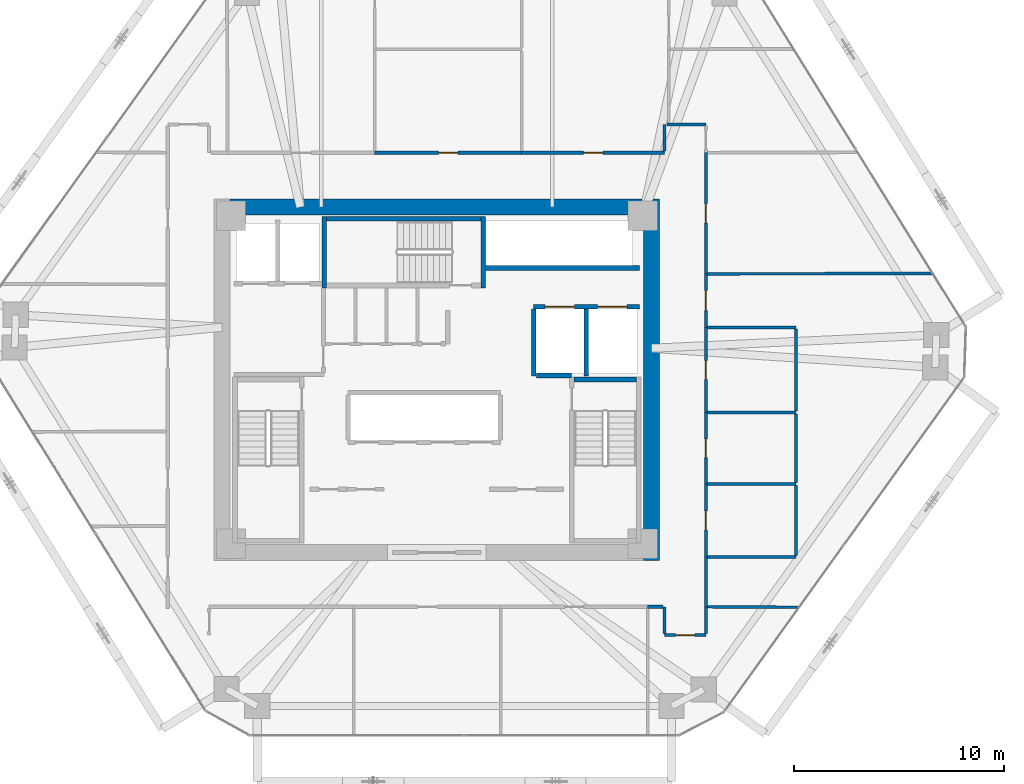
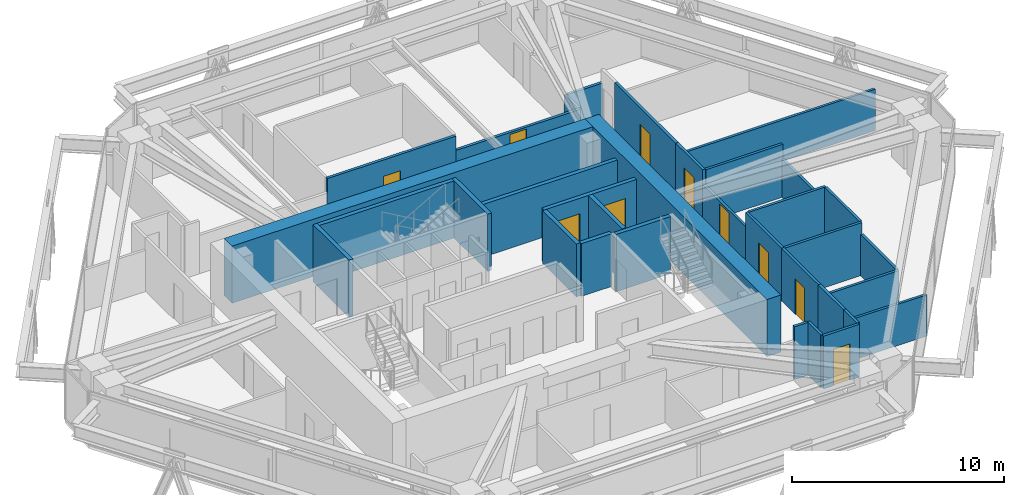
# One storey, part 14 of 16: 34 walls, 10 doors, 10 openings.
"""IFC4 building model written with IfcOpenShell, lengths in metres."""

from ifc_helpers import new_model, si_unit, direction, frame, frame_2d, origin, place, context, subcontext, project, spatial, rectangle, extrude, source, transform, mapped, material, layer, layer_set, type_object, type_shapes, element, fill, save


model = new_model("IFC4")

# Units and contexts
model_context = context("Model", 3, precision=1e-05, world=origin(), true_north=direction((0.0, 1.0)))
body_context = subcontext(model_context, "Body", "Model", "MODEL_VIEW")
ifc_project = project(units=[si_unit("LENGTHUNIT", "METRE"), si_unit("AREAUNIT", "SQUARE_METRE"), si_unit("VOLUMEUNIT", "CUBIC_METRE"), si_unit("PLANEANGLEUNIT", "RADIAN"), si_unit("MASSUNIT", "GRAM", prefix="KILO")], contexts=[model_context])

# Site, building, storey
site_placement = place(None, origin())
site = spatial("IfcSite", under=ifc_project, at=site_placement, CompositionType="ELEMENT")
building_placement = place(site_placement, origin())
building = spatial("IfcBuilding", under=site, at=building_placement, Name="Durnholm Broadcast Tower", CompositionType="ELEMENT")
storey_placement = place(building_placement, frame((0.0, 0.0, 110.699951171875)))
storey = spatial("IfcBuildingStorey", under=building, at=storey_placement, Name="L29", CompositionType="ELEMENT", Elevation=110.699951171875)

# Walls
ifc_material_1 = material(Name="Concrete C70/85", Category="concrete")
ifc_layer_1 = layer(ifc_material_1, 0.75)
ifc_layer_set_1 = layer_set([ifc_layer_1], Name="Concrete C70/85")
wall_type_1 = type_object("IfcWallType", Name="WALL-CW-750", PredefinedType="SHEAR", material=ifc_layer_set_1)
wall_1_placement = place(storey_placement, frame((10.22509765625, -8.60009765625, 0.0), z_axis=(0.0, 0.0, 1.0), x_axis=(0.0, 1.0, 0.0)))
element("IfcWall", 1, at=wall_1_placement, inside=storey, type_object=wall_type_1, Name="L29 central core shear wall CW-EAST", PredefinedType="SHEAR", context=body_context, shape_type="SweptSolid", body=[
    extrude(rectangle(XDim=17.2001953125, YDim=0.75, at=frame_2d((8.60009765625, 0.0))), origin(), (0.0, 0.0, 1.0), 3.300048828125),
])
wall_2_placement = place(storey_placement, frame((-9.85009765625, 8.22509765625, 0.0), z_axis=(0.0, 0.0, 1.0), x_axis=(1.0, 0.0, 0.0)))
element("IfcWall", 2, at=wall_2_placement, inside=storey, type_object=wall_type_1, Name="L29 central core shear wall CW-N", PredefinedType="SHEAR", context=body_context, shape_type="SweptSolid", body=[
    extrude(rectangle(XDim=19.7001953125, YDim=0.75, at=frame_2d((9.85009765625, 0.0))), origin(), (0.0, 0.0, 1.0), 3.300048828125),
])
ifc_material_2 = material(Name="Gypsum Metal Stud Partition", Category="concrete")
ifc_layer_2 = layer(ifc_material_2, 0.135009765625)
ifc_layer_set_2 = layer_set([ifc_layer_2], Name="Gypsum Metal Stud Partition")
wall_type_2 = type_object("IfcWallType", Name="WALL-PART-135", PredefinedType="PARTITIONING", material=ifc_layer_set_2)
wall_3_placement = place(storey_placement, frame((12.888916015625, -10.810302734375, 0.0), z_axis=(0.0, 0.0, 1.0), x_axis=(0.999986140562, -0.005264853658, 0.0)))
element("IfcWall", 3, at=wall_3_placement, inside=storey, type_object=wall_type_2, Name="L29 room dividing partition 21.26", PredefinedType="PARTITIONING", context=body_context, shape_type="SweptSolid", body=[
    extrude(rectangle(XDim=4.35888671875, YDim=0.135009765625, at=frame_2d((2.179443359375, 0.0))), origin(), (0.0, 0.0, 1.0), 2.380126953125),
])
wall_4_placement = place(storey_placement, frame((12.888916015625, 5.040283203125, 0.0), z_axis=(0.0, 0.0, 1.0), x_axis=(0.999998128178, 0.00193484876, 0.0)))
element("IfcWall", 4, at=wall_4_placement, inside=storey, type_object=wall_type_2, Name="L29 room dividing partition 26.27", PredefinedType="PARTITIONING", context=body_context, shape_type="SweptSolid", body=[
    extrude(rectangle(XDim=10.725341796875, YDim=0.135009765625, at=frame_2d((5.36279296875, 0.0))), origin(), (0.0, 0.0, 1.0), 2.380126953125),
])

# Wall, opening, door
ifc_material_3 = material(Name="Acoustic Gypsum Stud Partition", Category="concrete")
ifc_layer_3 = layer(ifc_material_3, 0.14990234375)
ifc_layer_set_3 = layer_set([ifc_layer_3], Name="Acoustic Gypsum Stud Partition")
wall_type_3 = type_object("IfcWallType", Name="WALL-PART-150", PredefinedType="PARTITIONING", material=ifc_layer_set_3)
wall_5_placement = place(storey_placement, frame((4.0400390625, 10.81005859375, 0.0), z_axis=(0.0, 0.0, 1.0), x_axis=(-1.0, 0.0, 0.0)))
wall_5 = element("IfcWall", 5, at=wall_5_placement, inside=storey, type_object=wall_type_3, Name="L29 ADR Office corridor partition", PredefinedType="PARTITIONING", context=body_context, shape_type="SweptSolid", body=[
    extrude(rectangle(XDim=7.0, YDim=0.14990234375, at=frame_2d((3.5, 0.0))), origin(), (0.0, 0.0, 1.0), 3.045166015625),
])
opening_1_placement = place(wall_5_placement, frame((3.0400390625, 0.0, 0.0)))
opening_1 = element("IfcOpeningElement", 6, at=opening_1_placement, cuts=wall_5, Name="Opening DR-92R", PredefinedType="OPENING", context=body_context, shape_type="SweptSolid", body=[
    extrude(rectangle(XDim=0.919921875, YDim=2.10009765625, at=frame_2d((0.4599609375, 1.050048828125))), frame((0.0, 0.0849609375, 0.0), z_axis=(0.0, -1.0, 0.0), x_axis=(1.0, 0.0, 0.0)), (0.0, 0.0, 1.0), 0.169921875),
])
ifc_material_4 = material(Name="Oak Veneer Office Door", Category="wood")
ifc_layer_4 = layer(ifc_material_4, 0.050048828125)
ifc_layer_set_4 = layer_set([ifc_layer_4], Name="Oak Veneer Office Door")
door_type_1 = type_object("IfcDoorType", Name="DOOR-RM-920R", OperationType="NOTDEFINED", PredefinedType="DOOR", material=ifc_layer_set_4)
shared_shape_1 = source(origin(), body_context, "Body", "SweptSolid", [
    extrude(rectangle(XDim=0.919921875, YDim=2.10009765625, at=frame_2d((0.4599609375, 1.050048828125))), frame((0.0, 0.02490234375, 0.0), z_axis=(0.0, -1.0, 0.0), x_axis=(1.0, 0.0, 0.0)), (0.0, 0.0, 1.0), 0.050048828125),
])
type_shapes(door_type_1, [shared_shape_1])
door_1_placement = place(opening_1_placement, origin())
door_1 = element("IfcDoor", 7, at=door_1_placement, inside=storey, type_object=door_type_1, Name="L29 ADR Office entrance door", OperationType="SINGLE_SWING_RIGHT", OverallHeight=2.10009765625, OverallWidth=0.919921875, PredefinedType="DOOR", context=body_context, shape_type="MappedRepresentation", body=[
    mapped(shared_shape_1, transform((0.0, 0.0, 0.0), x_axis=(1.0, 0.0, 0.0), y_axis=(0.0, 1.0, 0.0), z_axis=(0.0, 0.0, 1.0), scale=1.0)),
])
fill(opening_1, door_1)

wall_6_placement = place(storey_placement, frame((10.840087890625, 10.81005859375, 0.0), z_axis=(0.0, 0.0, 1.0), x_axis=(-1.0, 0.0, 0.0)))
wall_6 = element("IfcWall", 8, at=wall_6_placement, inside=storey, type_object=wall_type_3, Name="L29 Colorist Office corridor partition", PredefinedType="PARTITIONING", context=body_context, shape_type="SweptSolid", body=[
    extrude(rectangle(XDim=6.800048828125, YDim=0.14990234375, at=frame_2d((3.39990234375, 0.0))), origin(), (0.0, 0.0, 1.0), 2.212158203125),
])
opening_2_placement = place(wall_6_placement, frame((2.93994140625, 0.0, 0.0)))
opening_2 = element("IfcOpeningElement", 9, at=opening_2_placement, cuts=wall_6, Name="Opening DR-92L", PredefinedType="OPENING", context=body_context, shape_type="SweptSolid", body=[
    extrude(rectangle(XDim=0.919921875, YDim=2.10009765625, at=frame_2d((0.4599609375, 1.050048828125))), frame((0.0, 0.0849609375, 0.0), z_axis=(0.0, -1.0, 0.0), x_axis=(1.0, 0.0, 0.0)), (0.0, 0.0, 1.0), 0.169921875),
])
ifc_layer_5 = layer(ifc_material_4, 0.050048828125)
ifc_layer_set_5 = layer_set([ifc_layer_5], Name="Oak Veneer Office Door")
door_type_2 = type_object("IfcDoorType", Name="DOOR-RM-920L", OperationType="NOTDEFINED", PredefinedType="DOOR", material=ifc_layer_set_5)
shared_shape_2 = source(origin(), body_context, "Body", "SweptSolid", [
    extrude(rectangle(XDim=0.919921875, YDim=2.10009765625, at=frame_2d((0.4599609375, 1.050048828125))), frame((0.0, 0.02490234375, 0.0), z_axis=(0.0, -1.0, 0.0), x_axis=(1.0, 0.0, 0.0)), (0.0, 0.0, 1.0), 0.050048828125),
])
type_shapes(door_type_2, [shared_shape_2])
door_2_placement = place(opening_2_placement, origin())
door_2 = element("IfcDoor", 10, at=door_2_placement, inside=storey, type_object=door_type_2, Name="L29 Colorist Office entrance door", OperationType="SINGLE_SWING_LEFT", OverallHeight=2.10009765625, OverallWidth=0.919921875, PredefinedType="DOOR", context=body_context, shape_type="MappedRepresentation", body=[
    mapped(shared_shape_2, transform((0.0, 0.0, 0.0), x_axis=(1.0, 0.0, 0.0), y_axis=(0.0, 1.0, 0.0), z_axis=(0.0, 0.0, 1.0), scale=1.0)),
])
fill(opening_2, door_2)

# Walls
wall_7_placement = place(storey_placement, frame((10.840087890625, 12.159912109375, 0.0), z_axis=(0.0, 0.0, 1.0), x_axis=(0.0, -1.0, 0.0)))
element("IfcWall", 11, at=wall_7_placement, inside=storey, type_object=wall_type_3, Name="L29 Colorist Office corridor partition", PredefinedType="PARTITIONING", context=body_context, shape_type="SweptSolid", body=[
    extrude(rectangle(XDim=1.27099609375, YDim=0.14990234375, at=frame_2d((0.635498046875, 0.0))), origin(), (0.0, 0.0, 1.0), 2.212158203125),
])
wall_8_placement = place(storey_placement, frame((12.81005859375, 12.159912109375, 0.0), z_axis=(0.0, 0.0, 1.0), x_axis=(-1.0, 0.0, 0.0)))
element("IfcWall", 12, at=wall_8_placement, inside=storey, type_object=wall_type_3, Name="L29 Creative Director Office corridor partition", PredefinedType="PARTITIONING", context=body_context, shape_type="SweptSolid", body=[
    extrude(rectangle(XDim=1.85009765625, YDim=0.14990234375, at=frame_2d((0.925048828125, 0.0))), origin(), (0.0, 0.0, 1.0), 2.212158203125),
])

# Wall, opening, door
wall_9_placement = place(storey_placement, frame((10.840087890625, -12.159912109375, 0.0), z_axis=(0.0, 0.0, 1.0), x_axis=(1.0, 0.0, 0.0)))
wall_9 = element("IfcWall", 13, at=wall_9_placement, inside=storey, type_object=wall_type_3, Name="L29 VFX Office 1 corridor partition", PredefinedType="PARTITIONING", context=body_context, shape_type="SweptSolid", body=[
    extrude(rectangle(XDim=1.969970703125, YDim=0.14990234375, at=frame_2d((0.98486328125, 0.0))), origin(), (0.0, 0.0, 1.0), 3.045166015625),
])
opening_3_placement = place(wall_9_placement, frame((0.52490234375, 0.0, 0.0)))
opening_3 = element("IfcOpeningElement", 14, at=opening_3_placement, cuts=wall_9, Name="Opening DR-92R", PredefinedType="OPENING", context=body_context, shape_type="SweptSolid", body=[
    extrude(rectangle(XDim=0.919921875, YDim=2.10009765625, at=frame_2d((0.4599609375, 1.050048828125))), frame((0.0, 0.0849609375, 0.0), z_axis=(0.0, -1.0, 0.0), x_axis=(1.0, 0.0, 0.0)), (0.0, 0.0, 1.0), 0.169921875),
])
door_3_placement = place(opening_3_placement, origin())
door_3 = element("IfcDoor", 15, at=door_3_placement, inside=storey, type_object=door_type_1, Name="L29 VFX Office 1 entrance door", OperationType="SINGLE_SWING_RIGHT", OverallHeight=2.10009765625, OverallWidth=0.919921875, PredefinedType="DOOR", context=body_context, shape_type="MappedRepresentation", body=[
    mapped(shared_shape_1, transform((0.0, 0.0, 0.0), x_axis=(1.0, 0.0, 0.0), y_axis=(0.0, 1.0, 0.0), z_axis=(0.0, 0.0, 1.0), scale=1.0)),
])
fill(opening_3, door_3)

# Walls
for number, where, z_axis, x_axis, name in (
    (16, (10.840087890625, -10.81005859375, 0.0), (0.0, 0.0, 1.0), (0.0, -1.0, 0.0), "L29 VFX Office 1 corridor partition"),
    (17, (12.81005859375, -12.0810546875, 0.0), (0.0, 0.0, 1.0), (0.0, 1.0, 0.0), "L29 VFX Office 1 corridor partition"),
):
    element("IfcWall", number, at=place(storey_placement, frame(where, z_axis=z_axis, x_axis=x_axis)), inside=storey, type_object=wall_type_3, Name=name, PredefinedType="PARTITIONING", context=body_context, shape_type="SweptSolid", body=[
        extrude(rectangle(XDim=1.27099609375, YDim=0.14990234375, at=frame_2d((0.635498046875, 0.0))), origin(), (0.0, 0.0, 1.0), 3.045166015625),
    ])
wall_10_placement = place(storey_placement, frame((10.0400390625, -10.81005859375, 0.0), z_axis=(0.0, 0.0, 1.0), x_axis=(1.0, 0.0, 0.0)))
element("IfcWall", 18, at=wall_10_placement, inside=storey, type_object=wall_type_3, Name="L29 VFX Office 1 corridor partition", PredefinedType="PARTITIONING", context=body_context, shape_type="SweptSolid", body=[
    extrude(rectangle(XDim=0.720947265625, YDim=0.14990234375, at=frame_2d((0.3603515625, 0.0))), origin(), (0.0, 0.0, 1.0), 3.045166015625),
])

# Wall, opening, door
wall_11_placement = place(storey_placement, frame((12.81005859375, 2.489990234375, 0.0), z_axis=(0.0, 0.0, 1.0), x_axis=(0.0, 1.0, 0.0)))
wall_11 = element("IfcWall", 19, at=wall_11_placement, inside=storey, type_object=wall_type_3, Name="L29 Creative Director Office corridor partition", PredefinedType="PARTITIONING", context=body_context, shape_type="SweptSolid", body=[
    extrude(rectangle(XDim=2.550048828125, YDim=0.14990234375, at=frame_2d((1.27490234375, 0.0))), origin(), (0.0, 0.0, 1.0), 3.045166015625),
])
opening_4_placement = place(wall_11_placement, frame((0.800048828125, 0.0, 0.0)))
opening_4 = element("IfcOpeningElement", 20, at=opening_4_placement, cuts=wall_11, Name="Opening DR-95L", PredefinedType="OPENING", context=body_context, shape_type="SweptSolid", body=[
    extrude(rectangle(XDim=0.949951171875, YDim=2.10009765625, at=frame_2d((0.47509765625, 1.050048828125))), frame((0.0, 0.0849609375, 0.0), z_axis=(0.0, -1.0, 0.0), x_axis=(1.0, 0.0, 0.0)), (0.0, 0.0, 1.0), 0.169921875),
])
ifc_material_5 = material(Name="Acoustic Oak Veneer Timber Door", Category="wood")
ifc_layer_6 = layer(ifc_material_5, 0.050048828125)
ifc_layer_set_6 = layer_set([ifc_layer_6], Name="Acoustic Oak Veneer Timber Door")
door_type_3 = type_object("IfcDoorType", Name="DOOR-RM-950L", OperationType="NOTDEFINED", PredefinedType="DOOR", material=ifc_layer_set_6)
shared_shape_3 = source(origin(), body_context, "Body", "SweptSolid", [
    extrude(rectangle(XDim=0.949951171875, YDim=2.10009765625, at=frame_2d((0.47509765625, 1.050048828125))), frame((0.0, 0.02490234375, 0.0), z_axis=(0.0, -1.0, 0.0), x_axis=(1.0, 0.0, 0.0)), (0.0, 0.0, 1.0), 0.050048828125),
])
type_shapes(door_type_3, [shared_shape_3])
door_4_placement = place(opening_4_placement, origin())
door_4 = element("IfcDoor", 21, at=door_4_placement, inside=storey, type_object=door_type_3, Name="L29 Creative Director Office entrance door", OperationType="SINGLE_SWING_LEFT", OverallHeight=2.10009765625, OverallWidth=0.949951171875, PredefinedType="DOOR", context=body_context, shape_type="MappedRepresentation", body=[
    mapped(shared_shape_3, transform((0.0, 0.0, 0.0), x_axis=(1.0, 0.0, 0.0), y_axis=(0.0, 1.0, 0.0), z_axis=(0.0, 0.0, 1.0), scale=1.0)),
])
fill(opening_4, door_4)

# Wall
wall_12_placement = place(storey_placement, frame((12.81005859375, -10.81005859375, 0.0), z_axis=(0.0, 0.0, 1.0), x_axis=(0.0, 1.0, 0.0)))
element("IfcWall", 22, at=wall_12_placement, inside=storey, type_object=wall_type_3, Name="L29 Creative Director Office corridor partition", PredefinedType="PARTITIONING", context=body_context, shape_type="SweptSolid", body=[
    extrude(rectangle(XDim=2.3701171875, YDim=0.14990234375, at=frame_2d((1.18505859375, 0.0))), origin(), (0.0, 0.0, 1.0), 3.045166015625),
])

# Wall, opening, door
wall_13_placement = place(storey_placement, frame((12.81005859375, 5.0400390625, 0.0), z_axis=(0.0, 0.0, 1.0), x_axis=(0.0, 1.0, 0.0)))
wall_13 = element("IfcWall", 23, at=wall_13_placement, inside=storey, type_object=wall_type_3, Name="L29 Render Engineer Office corridor partition", PredefinedType="PARTITIONING", context=body_context, shape_type="SweptSolid", body=[
    extrude(rectangle(XDim=5.77001953125, YDim=0.14990234375, at=frame_2d((2.885009765625, 0.0))), origin(), (0.0, 0.0, 1.0), 3.045166015625),
])
opening_5_placement = place(wall_13_placement, frame((2.425048828125, 0.0, 0.0)))
opening_5 = element("IfcOpeningElement", 24, at=opening_5_placement, cuts=wall_13, Name="Opening DR-92R", PredefinedType="OPENING", context=body_context, shape_type="SweptSolid", body=[
    extrude(rectangle(XDim=0.919921875, YDim=2.10009765625, at=frame_2d((0.4599609375, 1.050048828125))), frame((0.0, 0.0849609375, 0.0), z_axis=(0.0, -1.0, 0.0), x_axis=(1.0, 0.0, 0.0)), (0.0, 0.0, 1.0), 0.169921875),
])
door_5_placement = place(opening_5_placement, origin())
door_5 = element("IfcDoor", 25, at=door_5_placement, inside=storey, type_object=door_type_1, Name="L29 Render Engineer Office entrance door", OperationType="SINGLE_SWING_RIGHT", OverallHeight=2.10009765625, OverallWidth=0.919921875, PredefinedType="DOOR", context=body_context, shape_type="MappedRepresentation", body=[
    mapped(shared_shape_1, transform((0.0, 0.0, 0.0), x_axis=(1.0, 0.0, 0.0), y_axis=(0.0, 1.0, 0.0), z_axis=(0.0, 0.0, 1.0), scale=1.0)),
])
fill(opening_5, door_5)

# Wall, openings, doors
ifc_material_6 = material(Name="Concrete Blockwork C30/37", Category="masonry")
ifc_layer_7 = layer(ifc_material_6, 0.219970703125)
ifc_layer_set_7 = layer_set([ifc_layer_7], Name="Concrete Blockwork C30/37")
wall_type_4 = type_object("IfcWallType", Name="WALL-SHAFT-220", PredefinedType="SOLIDWALL", material=ifc_layer_set_7)
wall_14_placement = place(storey_placement, frame((4.60009765625, 3.47998046875, 0.0), z_axis=(0.0, 0.0, 1.0), x_axis=(1.0, 0.0, 0.0)))
wall_14 = element("IfcWall", 26, at=wall_14_placement, inside=storey, type_object=wall_type_4, Name="L29 freight service lifts north front wall", PredefinedType="SOLIDWALL", context=body_context, shape_type="SweptSolid", body=[
    extrude(rectangle(XDim=5.0498046875, YDim=0.219970703125, at=frame_2d((2.52490234375, 0.0))), origin(), (0.0, 0.0, 1.0), 3.045166015625),
])
opening_6_placement = place(wall_14_placement, frame((0.550048828125, 0.0, 0.0)))
opening_6 = element("IfcOpeningElement", 27, at=opening_6_placement, cuts=wall_14, Name="Opening LD-SVL-2", PredefinedType="OPENING", context=body_context, shape_type="SweptSolid", body=[
    extrude(rectangle(XDim=1.39990234375, YDim=2.14990234375, at=frame_2d((0.699951171875, 1.074951171875))), frame((0.0, 0.1201171875, 0.0), z_axis=(0.0, -1.0, 0.0), x_axis=(1.0, 0.0, 0.0)), (0.0, 0.0, 1.0), 0.239990234375),
])
opening_7_placement = place(wall_14_placement, frame((3.050048828125, 0.0, 0.0)))
opening_7 = element("IfcOpeningElement", 28, at=opening_7_placement, cuts=wall_14, Name="Opening LD-SVL-1", PredefinedType="OPENING", context=body_context, shape_type="SweptSolid", body=[
    extrude(rectangle(XDim=1.39990234375, YDim=2.14990234375, at=frame_2d((0.699951171875, 1.074951171875))), frame((0.0, 0.1201171875, 0.0), z_axis=(0.0, -1.0, 0.0), x_axis=(1.0, 0.0, 0.0)), (0.0, 0.0, 1.0), 0.239990234375),
])
ifc_material_7 = material(Name="Freight Elevator Bi-Parting Sliding Landing Door", Category="steel")
ifc_layer_8 = layer(ifc_material_7, 0.050048828125)
ifc_layer_set_8 = layer_set([ifc_layer_8], Name="Freight Elevator Bi-Parting Sliding Landing Door")
door_type_4 = type_object("IfcDoorType", Name="DOOR-LIFT-SVL", OperationType="DOUBLE_DOOR_SLIDING", PredefinedType="DOOR", material=ifc_layer_set_8)
shared_shape_4 = source(origin(), body_context, "Body", "SweptSolid", [
    extrude(rectangle(XDim=1.39990234375, YDim=2.14990234375, at=frame_2d((0.699951171875, 1.074951171875))), frame((0.0, 0.02490234375, 0.0), z_axis=(0.0, -1.0, 0.0), x_axis=(1.0, 0.0, 0.0)), (0.0, 0.0, 1.0), 0.050048828125),
])
type_shapes(door_type_4, [shared_shape_4])
door_6_placement = place(opening_6_placement, origin())
door_6 = element("IfcDoor", 29, at=door_6_placement, inside=storey, type_object=door_type_4, Name="L29 freight service elevator SVL-2 sliding landing door", OperationType="DOUBLE_DOOR_SLIDING", OverallHeight=2.14990234375, OverallWidth=1.39990234375, PredefinedType="DOOR", context=body_context, shape_type="MappedRepresentation", body=[
    mapped(shared_shape_4, transform((0.0, 0.0, 0.0), x_axis=(1.0, 0.0, 0.0), y_axis=(0.0, 1.0, 0.0), z_axis=(0.0, 0.0, 1.0), scale=1.0)),
])
fill(opening_6, door_6)
door_7_placement = place(opening_7_placement, origin())
door_7 = element("IfcDoor", 30, at=door_7_placement, inside=storey, type_object=door_type_4, Name="L29 freight service elevator SVL-1 sliding landing door", OperationType="DOUBLE_DOOR_SLIDING", OverallHeight=2.14990234375, OverallWidth=1.39990234375, PredefinedType="DOOR", context=body_context, shape_type="MappedRepresentation", body=[
    mapped(shared_shape_4, transform((0.0, 0.0, 0.0), x_axis=(1.0, 0.0, 0.0), y_axis=(0.0, 1.0, 0.0), z_axis=(0.0, 0.0, 1.0), scale=1.0)),
])
fill(opening_7, door_7)

# Walls
for number, where, z_axis, x_axis, name in (
    (31, (4.6201171875, 0.179931640625, 0.0), (0.0, 0.0, 1.0), (0.0, 1.0, 0.0), "L29 freight service lift SVL-2 west wall"),
    (32, (7.1201171875, 0.179931640625, 0.0), (0.0, 0.0, 1.0), (0.0, 1.0, 0.0), "L29 freight service lifts divider wall"),
):
    element("IfcWall", number, at=place(storey_placement, frame(where, z_axis=z_axis, x_axis=x_axis)), inside=storey, type_object=wall_type_4, Name=name, PredefinedType="SOLIDWALL", context=body_context, shape_type="SweptSolid", body=[
        extrude(rectangle(XDim=3.18603515625, YDim=0.219970703125, at=frame_2d((1.593017578125, 0.0))), origin(), (0.0, 0.0, 1.0), 3.045166015625),
    ])
wall_15_placement = place(storey_placement, frame((4.73388671875, 0.199951171875, 0.0), z_axis=(0.0, 0.0, 1.0), x_axis=(1.0, 0.0, 0.0)))
element("IfcWall", 33, at=wall_15_placement, inside=storey, type_object=wall_type_4, Name="L29 freight service lift SVL-2 south wall", PredefinedType="SOLIDWALL", context=body_context, shape_type="SweptSolid", body=[
    extrude(rectangle(XDim=1.666015625, YDim=0.219970703125, at=frame_2d((0.8330078125, 0.0))), origin(), (0.0, 0.0, 1.0), 3.045166015625),
])
wall_16_placement = place(storey_placement, frame((2.324951171875, 5.320068359375, 0.0), z_axis=(0.0, 0.0, 1.0), x_axis=(1.0, 0.0, 0.0)))
element("IfcWall", 34, at=wall_16_placement, inside=storey, type_object=wall_type_4, Name="L29 high-rise bank P3 south front wall", PredefinedType="SOLIDWALL", context=body_context, shape_type="SweptSolid", body=[
    extrude(rectangle(XDim=7.324951171875, YDim=0.219970703125, at=frame_2d((3.66259765625, 0.0))), origin(), (0.0, 0.0, 1.0), 3.045166015625),
])
ifc_material_8 = material(Name="Concrete C50/60", Category="concrete")
ifc_layer_9 = layer(ifc_material_8, 0.219970703125)
ifc_layer_set_9 = layer_set([ifc_layer_9], Name="Concrete C50/60")
wall_type_5 = type_object("IfcWallType", Name="WALL-SW-220", PredefinedType="SHEAR", material=ifc_layer_set_9)
wall_17_placement = place(storey_placement, frame((9.5, 0.010009765625, -0.239990234375), z_axis=(0.0, 0.0, 1.0), x_axis=(-1.0, 0.0, 0.0)))
element("IfcWall", 35, at=wall_17_placement, inside=storey, type_object=wall_type_5, Name="L29 stair ST-2 structural shaft wall N", PredefinedType="SHEAR", context=body_context, shape_type="SweptSolid", body=[
    extrude(rectangle(XDim=2.9599609375, YDim=0.219970703125, at=frame_2d((1.47998046875, 0.0))), origin(), (0.0, 0.0, 1.0), 3.300048828125),
])
for number, where, z_axis, x_axis, name in (
    (36, (2.2099609375, 4.3798828125, -0.239990234375), (0.0, 0.0, 1.0), (0.0, 1.0, 0.0), "L29 stair ST-3 structural shaft wall E"),
    (37, (-5.360107421875, 7.780029296875, -0.239990234375), (0.0, 0.0, 1.0), (0.0, -1.0, 0.0), "L29 stair ST-3 structural shaft wall W"),
):
    element("IfcWall", number, at=place(storey_placement, frame(where, z_axis=z_axis, x_axis=x_axis)), inside=storey, type_object=wall_type_5, Name=name, PredefinedType="SHEAR", context=body_context, shape_type="SweptSolid", body=[
        extrude(rectangle(XDim=3.400146484375, YDim=0.219970703125, at=frame_2d((1.7001953125, 0.0))), origin(), (0.0, 0.0, 1.0), 3.300048828125),
    ])
wall_18_placement = place(storey_placement, frame((2.10009765625, 7.669921875, -0.239990234375), z_axis=(0.0, 0.0, 1.0), x_axis=(-1.0, 0.0, 0.0)))
element("IfcWall", 38, at=wall_18_placement, inside=storey, type_object=wall_type_5, Name="L29 stair ST-3 structural shaft wall N", PredefinedType="SHEAR", context=body_context, shape_type="SweptSolid", body=[
    extrude(rectangle(XDim=7.35009765625, YDim=0.219970703125, at=frame_2d((3.675048828125, 0.0))), origin(), (0.0, 0.0, 1.0), 3.300048828125),
])

# Wall, opening, door
ifc_material_9 = material(Name="Moisture-Resistant Tile Partition", Category="concrete")
ifc_layer_10 = layer(ifc_material_9, 0.139892578125)
ifc_layer_set_10 = layer_set([ifc_layer_10], Name="Moisture-Resistant Tile Partition")
wall_type_6 = type_object("IfcWallType", Name="WALL-WC-140", PredefinedType="PARTITIONING", material=ifc_layer_set_10)
wall_19_placement = place(storey_placement, frame((12.81005859375, -8.43994140625, 0.0), z_axis=(0.0, 0.0, 1.0), x_axis=(0.0, 1.0, 0.0)))
wall_19 = element("IfcWall", 39, at=wall_19_placement, inside=storey, type_object=wall_type_6, Name="L29 Men's Restroom corridor partition", PredefinedType="PARTITIONING", context=body_context, shape_type="SweptSolid", body=[
    extrude(rectangle(XDim=3.47998046875, YDim=0.139892578125, at=frame_2d((1.739990234375, 0.0))), origin(), (0.0, 0.0, 1.0), 3.045166015625),
])
opening_8_placement = place(wall_19_placement, frame((1.2900390625, 0.0, 0.0)))
opening_8 = element("IfcOpeningElement", 40, at=opening_8_placement, cuts=wall_19, Name="Opening DW-90L", PredefinedType="OPENING", context=body_context, shape_type="SweptSolid", body=[
    extrude(rectangle(XDim=0.89990234375, YDim=2.050048828125, at=frame_2d((0.449951171875, 1.02490234375))), frame((0.0, 0.080078125, 0.0), z_axis=(0.0, -1.0, 0.0), x_axis=(1.0, 0.0, 0.0)), (0.0, 0.0, 1.0), 0.159912109375),
])
ifc_material_10 = material(Name="Laminate Restroom Door", Category="steel")
ifc_layer_11 = layer(ifc_material_10, 0.050048828125)
ifc_layer_set_11 = layer_set([ifc_layer_11], Name="Laminate Restroom Door")
door_type_5 = type_object("IfcDoorType", Name="DOOR-WC-900L", OperationType="NOTDEFINED", PredefinedType="DOOR", material=ifc_layer_set_11)
shared_shape_5 = source(origin(), body_context, "Body", "SweptSolid", [
    extrude(rectangle(XDim=0.89990234375, YDim=2.050048828125, at=frame_2d((0.449951171875, 1.02490234375))), frame((0.0, 0.02490234375, 0.0), z_axis=(0.0, -1.0, 0.0), x_axis=(1.0, 0.0, 0.0)), (0.0, 0.0, 1.0), 0.050048828125),
])
type_shapes(door_type_5, [shared_shape_5])
door_8_placement = place(opening_8_placement, origin())
door_8 = element("IfcDoor", 41, at=door_8_placement, inside=storey, type_object=door_type_5, Name="L29 Men's Restroom entrance door", OperationType="SINGLE_SWING_LEFT", OverallHeight=2.050048828125, OverallWidth=0.89990234375, PredefinedType="DOOR", context=body_context, shape_type="MappedRepresentation", body=[
    mapped(shared_shape_5, transform((0.0, 0.0, 0.0), x_axis=(1.0, 0.0, 0.0), y_axis=(0.0, 1.0, 0.0), z_axis=(0.0, 0.0, 1.0), scale=1.0)),
])
fill(opening_8, door_8)

wall_20_placement = place(storey_placement, frame((12.81005859375, -4.9599609375, 0.0), z_axis=(0.0, 0.0, 1.0), x_axis=(0.0, 1.0, 0.0)))
wall_20 = element("IfcWall", 42, at=wall_20_placement, inside=storey, type_object=wall_type_6, Name="L29 Women's Restroom corridor partition", PredefinedType="PARTITIONING", context=body_context, shape_type="SweptSolid", body=[
    extrude(rectangle(XDim=3.39990234375, YDim=0.139892578125, at=frame_2d((1.699951171875, 0.0))), origin(), (0.0, 0.0, 1.0), 3.045166015625),
])
opening_9_placement = place(wall_20_placement, frame((1.25, 0.0, 0.0)))
opening_9 = element("IfcOpeningElement", 43, at=opening_9_placement, cuts=wall_20, Name="Opening DW-90R", PredefinedType="OPENING", context=body_context, shape_type="SweptSolid", body=[
    extrude(rectangle(XDim=0.89990234375, YDim=2.050048828125, at=frame_2d((0.449951171875, 1.02490234375))), frame((0.0, 0.080078125, 0.0), z_axis=(0.0, -1.0, 0.0), x_axis=(1.0, 0.0, 0.0)), (0.0, 0.0, 1.0), 0.159912109375),
])
ifc_layer_12 = layer(ifc_material_10, 0.050048828125)
ifc_layer_set_12 = layer_set([ifc_layer_12], Name="Laminate Restroom Door")
door_type_6 = type_object("IfcDoorType", Name="DOOR-WC-900R", OperationType="NOTDEFINED", PredefinedType="DOOR", material=ifc_layer_set_12)
shared_shape_6 = source(origin(), body_context, "Body", "SweptSolid", [
    extrude(rectangle(XDim=0.89990234375, YDim=2.050048828125, at=frame_2d((0.449951171875, 1.02490234375))), frame((0.0, 0.02490234375, 0.0), z_axis=(0.0, -1.0, 0.0), x_axis=(1.0, 0.0, 0.0)), (0.0, 0.0, 1.0), 0.050048828125),
])
type_shapes(door_type_6, [shared_shape_6])
door_9_placement = place(opening_9_placement, origin())
door_9 = element("IfcDoor", 44, at=door_9_placement, inside=storey, type_object=door_type_6, Name="L29 Women's Restroom entrance door", OperationType="SINGLE_SWING_RIGHT", OverallHeight=2.050048828125, OverallWidth=0.89990234375, PredefinedType="DOOR", context=body_context, shape_type="MappedRepresentation", body=[
    mapped(shared_shape_6, transform((0.0, 0.0, 0.0), x_axis=(1.0, 0.0, 0.0), y_axis=(0.0, 1.0, 0.0), z_axis=(0.0, 0.0, 1.0), scale=1.0)),
])
fill(opening_9, door_9)

wall_21_placement = place(storey_placement, frame((12.81005859375, -1.56005859375, 0.0), z_axis=(0.0, 0.0, 1.0), x_axis=(0.0, 1.0, 0.0)))
wall_21 = element("IfcWall", 45, at=wall_21_placement, inside=storey, type_object=wall_type_6, Name="L29 Accessible Restroom corridor partition", PredefinedType="PARTITIONING", context=body_context, shape_type="SweptSolid", body=[
    extrude(rectangle(XDim=4.050048828125, YDim=0.139892578125, at=frame_2d((2.02490234375, 0.0))), origin(), (0.0, 0.0, 1.0), 2.212158203125),
])
opening_10_placement = place(wall_21_placement, frame((1.574951171875, 0.0, 0.0)))
opening_10 = element("IfcOpeningElement", 46, at=opening_10_placement, cuts=wall_21, Name="Opening DW-90L", PredefinedType="OPENING", context=body_context, shape_type="SweptSolid", body=[
    extrude(rectangle(XDim=0.89990234375, YDim=2.050048828125, at=frame_2d((0.449951171875, 1.02490234375))), frame((0.0, 0.080078125, 0.0), z_axis=(0.0, -1.0, 0.0), x_axis=(1.0, 0.0, 0.0)), (0.0, 0.0, 1.0), 0.159912109375),
])
door_10_placement = place(opening_10_placement, origin())
door_10 = element("IfcDoor", 47, at=door_10_placement, inside=storey, type_object=door_type_5, Name="L29 Accessible Restroom entrance door", OperationType="SINGLE_SWING_LEFT", OverallHeight=2.050048828125, OverallWidth=0.89990234375, PredefinedType="DOOR", context=body_context, shape_type="MappedRepresentation", body=[
    mapped(shared_shape_5, transform((0.0, 0.0, 0.0), x_axis=(1.0, 0.0, 0.0), y_axis=(0.0, 1.0, 0.0), z_axis=(0.0, 0.0, 1.0), scale=1.0)),
])
fill(opening_10, door_10)

# Walls
wall_22_placement = place(storey_placement, frame((12.884033203125, -4.9599609375, 0.0), z_axis=(0.0, 0.0, 1.0), x_axis=(1.0, 0.0, 0.0)))
element("IfcWall", 48, at=wall_22_placement, inside=storey, type_object=wall_type_6, Name="L29 room dividing partition 8.9", PredefinedType="PARTITIONING", context=body_context, shape_type="SweptSolid", body=[
    extrude(rectangle(XDim=4.2060546875, YDim=0.139892578125, at=frame_2d((2.10302734375, 0.0))), origin(), (0.0, 0.0, 1.0), 3.045166015625),
])
wall_23_placement = place(storey_placement, frame((17.090087890625, -8.43994140625, 0.0), z_axis=(0.0, 0.0, 1.0), x_axis=(-1.0, 0.0, 0.0)))
element("IfcWall", 49, at=wall_23_placement, inside=storey, type_object=wall_type_6, Name="L29 room dividing partition 8.26", PredefinedType="PARTITIONING", context=body_context, shape_type="SweptSolid", body=[
    extrude(rectangle(XDim=4.201171875, YDim=0.139892578125, at=frame_2d((2.1005859375, 0.0))), origin(), (0.0, 0.0, 1.0), 2.380126953125),
])
wall_24_placement = place(storey_placement, frame((17.090087890625, -5.033935546875, 0.0), z_axis=(0.0, 0.0, 1.0), x_axis=(0.0, -1.0, 0.0)))
element("IfcWall", 50, at=wall_24_placement, inside=storey, type_object=wall_type_6, Name="L29 room dividing partition 8.26", PredefinedType="PARTITIONING", context=body_context, shape_type="SweptSolid", body=[
    extrude(rectangle(XDim=3.33203125, YDim=0.139892578125, at=frame_2d((1.666015625, 0.0))), origin(), (0.0, 0.0, 1.0), 2.380126953125),
])
wall_25_placement = place(storey_placement, frame((12.884033203125, -1.56005859375, 0.0), z_axis=(0.0, 0.0, 1.0), x_axis=(1.0, 0.0, 0.0)))
element("IfcWall", 51, at=wall_25_placement, inside=storey, type_object=wall_type_6, Name="L29 room dividing partition 9.10", PredefinedType="PARTITIONING", context=body_context, shape_type="SweptSolid", body=[
    extrude(rectangle(XDim=4.2060546875, YDim=0.139892578125, at=frame_2d((2.10302734375, 0.0))), origin(), (0.0, 0.0, 1.0), 3.045166015625),
])
wall_26_placement = place(storey_placement, frame((17.090087890625, -1.634033203125, 0.0), z_axis=(0.0, 0.0, 1.0), x_axis=(0.0, -1.0, 0.0)))
element("IfcWall", 52, at=wall_26_placement, inside=storey, type_object=wall_type_6, Name="L29 room dividing partition 9.26", PredefinedType="PARTITIONING", context=body_context, shape_type="SweptSolid", body=[
    extrude(rectangle(XDim=3.251953125, YDim=0.139892578125, at=frame_2d((1.6259765625, 0.0))), origin(), (0.0, 0.0, 1.0), 3.045166015625),
])
wall_27_placement = place(storey_placement, frame((12.888916015625, 2.489990234375, 0.0), z_axis=(0.0, 0.0, 1.0), x_axis=(1.0, 0.0, 0.0)))
element("IfcWall", 53, at=wall_27_placement, inside=storey, type_object=wall_type_6, Name="L29 room dividing partition 10.26", PredefinedType="PARTITIONING", context=body_context, shape_type="SweptSolid", body=[
    extrude(rectangle(XDim=4.201171875, YDim=0.139892578125, at=frame_2d((2.1005859375, 0.0))), origin(), (0.0, 0.0, 1.0), 3.045166015625),
])
wall_28_placement = place(storey_placement, frame((17.090087890625, 2.416015625, 0.0), z_axis=(0.0, 0.0, 1.0), x_axis=(0.0, -1.0, 0.0)))
element("IfcWall", 54, at=wall_28_placement, inside=storey, type_object=wall_type_6, Name="L29 room dividing partition 10.26", PredefinedType="PARTITIONING", context=body_context, shape_type="SweptSolid", body=[
    extrude(rectangle(XDim=3.902099609375, YDim=0.139892578125, at=frame_2d((1.951171875, 0.0))), origin(), (0.0, 0.0, 1.0), 2.212158203125),
])

save(model, "model.ifc")
